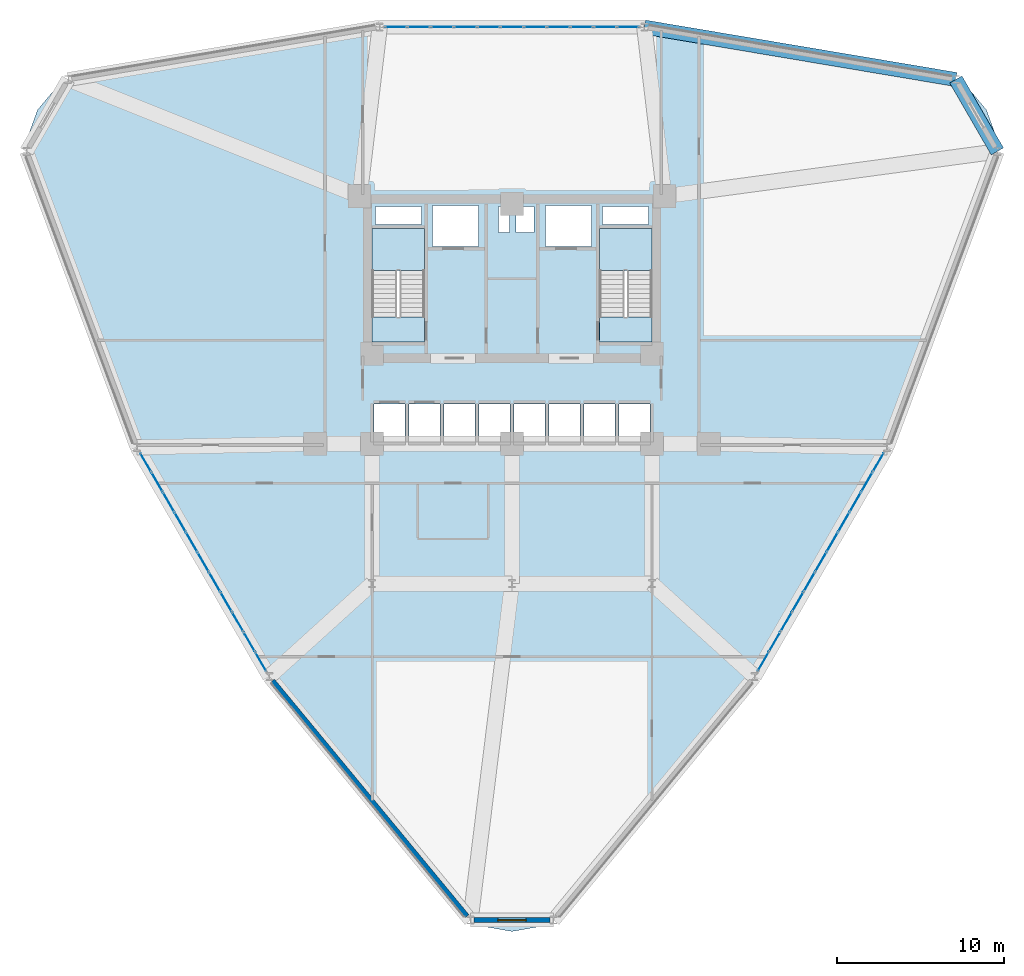
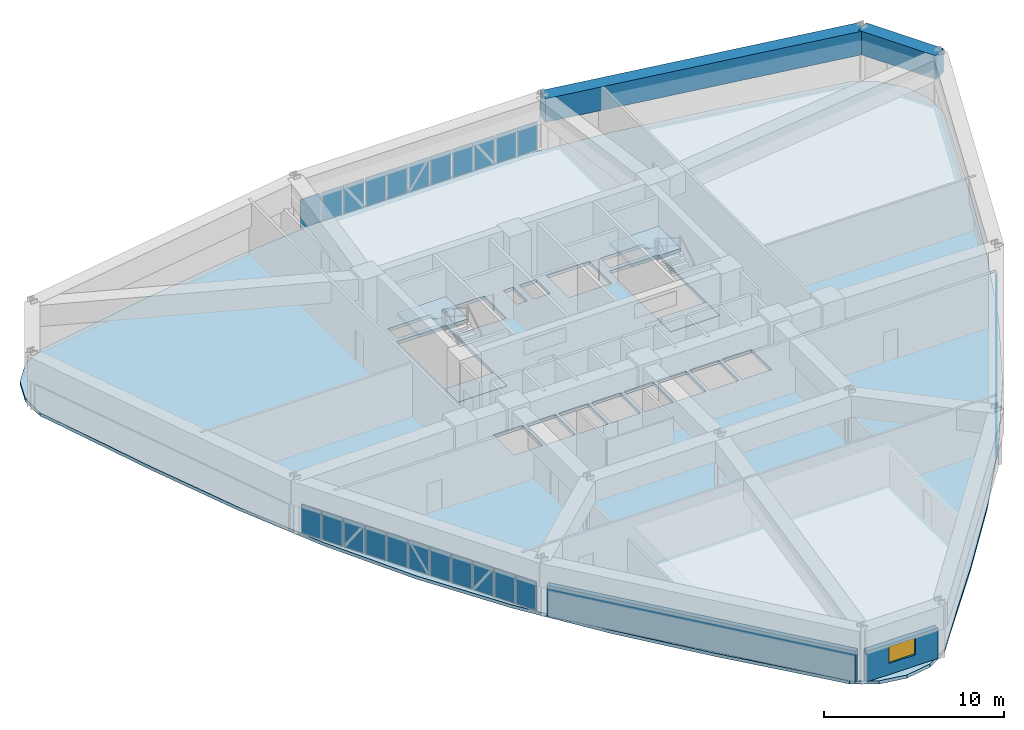
# One storey, part 14 of 20: 33 plates, 5 slabs, 2 beams, 2 walls, 1 window, 1 opening, 5 elements without a shape of their own.
"""IFC4 building model written with IfcOpenShell, lengths in metres."""

from ifc_helpers import new_model, si_unit, derived_unit, direction, frame, frame_2d, origin, origin_2d, place, context, subcontext, project, spatial, polyline, rectangle, outline, extrude, source, transform, mapped, material, layer, layer_set, material_profile, profile_set, type_object, element, fill, aggregate, save


model = new_model("IFC4")

# Units and contexts
model_context = context("Model", 3, precision=1e-05, world=origin(), true_north=direction((0.0, 1.0)))
body_context = subcontext(model_context, "Body", "Model", "MODEL_VIEW")
ifc_project = project(units=[si_unit("LENGTHUNIT", "METRE"), si_unit("AREAUNIT", "SQUARE_METRE"), si_unit("VOLUMEUNIT", "CUBIC_METRE"), si_unit("PLANEANGLEUNIT", "RADIAN"), si_unit("MASSUNIT", "GRAM", prefix="KILO"), derived_unit("THERMALTRANSMITTANCEUNIT", [(si_unit("POWERUNIT", "WATT"), 1), (si_unit("LENGTHUNIT", "METRE"), -2), (si_unit("THERMODYNAMICTEMPERATUREUNIT", "KELVIN"), -1)])], contexts=[model_context])

# Site, building, storey
site_placement = place(None, origin())
site = spatial("IfcSite", under=ifc_project, at=site_placement, CompositionType="ELEMENT")
building_placement = place(site_placement, origin())
building = spatial("IfcBuilding", under=site, at=building_placement, Name="Korsvarv Bourse and Concert Hall", CompositionType="ELEMENT")
storey_placement = place(building_placement, frame((0.0, 0.0, 39.60009765625)))
storey = spatial("IfcBuildingStorey", under=building, at=storey_placement, Name="L09", CompositionType="ELEMENT", Elevation=39.60009765625)

# Beams
ifc_material_1 = material(Name="Concrete C55/67", Category="concrete")
ifc_material_profile = material_profile(ifc_material_1, rectangle(XDim=0.85009765625, YDim=1.60009765625, at=origin_2d()), Name="RC-BM 850x1600")
ifc_profile_set = profile_set([ifc_material_profile], Name="Concrete C55/67")
beam_type = type_object("IfcBeamType", Name="BM-TR1B", PredefinedType="BEAM", material=ifc_profile_set)
shared_shape_1 = source(origin(), body_context, "Body", "SweptSolid", [
    extrude(rectangle(XDim=0.85009765625, YDim=1.60009765625, at=origin_2d()), origin(), (0.0, 0.0, 1.0), 4.985595703125),
])
beam_1_placement = place(storey_placement, frame((65.1298828125, 49.939697265625, 2.8798828125), z_axis=(-0.499983857782, 0.866034723298, 0.0), x_axis=(-0.866034723298, -0.499983857782, 0.0)))
element("IfcBeam", 1, at=beam_1_placement, inside=storey, type_object=beam_type, Name="L09 beam B-TR2", PredefinedType="BEAM", context=body_context, shape_type="MappedRepresentation", body=[
    mapped(shared_shape_1, transform((0.0, 0.0, 0.0), scale=1.0)),
])
shared_shape_2 = source(origin(), body_context, "Body", "SweptSolid", [
    extrude(rectangle(XDim=0.85009765625, YDim=1.60009765625, at=origin_2d()), origin(), (0.0, 0.0, 1.0), 18.95849609375),
])
beam_2_placement = place(storey_placement, frame((62.63720703125, 54.25732421875, 2.8798828125), z_axis=(-0.98615096674, 0.16585014561, 0.0), x_axis=(-0.16585014561, -0.98615096674, 0.0)))
element("IfcBeam", 2, at=beam_2_placement, inside=storey, type_object=beam_type, Name="L09 beam B-TR2", PredefinedType="BEAM", context=body_context, shape_type="MappedRepresentation", body=[
    mapped(shared_shape_2, transform((0.0, 0.0, 0.0), scale=1.0)),
])

# Slabs
ifc_material_2 = material(Name="Precast concrete C45/55", Category="concrete")
ifc_layer_1 = layer(ifc_material_2, 0.199951171875)
ifc_layer_set_1 = layer_set([ifc_layer_1], Name="Precast concrete C45/55")
slab_type_1 = type_object("IfcSlabType", Name="SLB-FLND-T", PredefinedType="LANDING", material=ifc_layer_set_1)
slab_1_placement = place(storey_placement, frame((0.0, 0.0, -0.2001953125)))
element("IfcSlab", 3, at=slab_1_placement, inside=storey, type_object=slab_type_1, Name="L09 Stair ST-T1 Floor Landing Slab", PredefinedType="LANDING", context=body_context, shape_type="SweptSolid", body=[
    extrude(outline(polyline([(30.760009765625, 38.5), (30.760009765625, 40.0), (27.60009765625, 40.0), (27.60009765625, 38.5), (30.760009765625, 38.5)])), origin(), (0.0, 0.0, 1.0), 0.2001953125),
])
slab_2_placement = place(storey_placement, frame((0.0, 0.0, -0.2001953125)))
element("IfcSlab", 4, at=slab_2_placement, inside=storey, type_object=slab_type_1, Name="L09 Stair ST-T2 Floor Landing Slab", PredefinedType="LANDING", context=body_context, shape_type="SweptSolid", body=[
    extrude(outline(polyline([(44.39990234375, 38.5), (44.39990234375, 40.0), (41.239990234375, 40.0), (41.239990234375, 38.5), (44.39990234375, 38.5)])), origin(), (0.0, 0.0, 1.0), 0.2001953125),
])

# Stair, slab
stair_type = type_object("IfcStairType", Name="STR-TYPE-03", PredefinedType="HALF_TURN_STAIR", material=ifc_material_2)
stair_1_placement = place(storey_placement, origin())
stair_1 = element("IfcStair", 5, at=stair_1_placement, inside=storey, type_object=stair_type, Name="L09 Tower West Exit Stair ST-T1", PredefinedType="HALF_TURN_STAIR")
ifc_layer_2 = layer(ifc_material_2, 0.199951171875)
ifc_layer_set_2 = layer_set([ifc_layer_2], Name="Precast concrete C45/55")
slab_type_2 = type_object("IfcSlabType", Name="SLB-ST-LND", PredefinedType="LANDING", material=ifc_layer_set_2)
slab_3_placement = place(storey_placement, frame((0.0, 0.0, 1.75)))
slab_3 = element("IfcSlab", 6, at=slab_3_placement, type_object=slab_type_2, Name="ST-T1 landing 1", PredefinedType="LANDING", context=body_context, shape_type="SweptSolid", body=[
    extrude(outline(polyline([(30.760009765625, 42.800048828125), (30.760009765625, 45.300048828125), (27.60009765625, 45.300048828125), (27.60009765625, 42.800048828125), (30.760009765625, 42.800048828125)])), origin(), (0.0, 0.0, 1.0), 0.199951171875),
])
aggregate(stair_1, [slab_3])

stair_2_placement = place(storey_placement, origin())
stair_2 = element("IfcStair", 7, at=stair_2_placement, inside=storey, type_object=stair_type, Name="L09 Tower East Exit Stair ST-T2", PredefinedType="HALF_TURN_STAIR")
slab_4_placement = place(storey_placement, frame((0.0, 0.0, 1.75)))
slab_4 = element("IfcSlab", 8, at=slab_4_placement, type_object=slab_type_2, Name="ST-T2 landing 1", PredefinedType="LANDING", context=body_context, shape_type="SweptSolid", body=[
    extrude(outline(polyline([(44.39990234375, 42.800048828125), (44.39990234375, 45.300048828125), (41.239990234375, 45.300048828125), (41.239990234375, 42.800048828125), (44.39990234375, 42.800048828125)])), origin(), (0.0, 0.0, 1.0), 0.199951171875),
])
aggregate(stair_2, [slab_4])

# Slab
ifc_material_3 = material(Name="Concrete C45/55", Category="concrete")
ifc_layer_3 = layer(ifc_material_3, 0.219970703125)
ifc_layer_set_3 = layer_set([ifc_layer_3], Name="Concrete C45/55")
slab_type_3 = type_object("IfcSlabType", Name="SLB-TW1", PredefinedType="FLOOR", material=ifc_layer_set_3)
slab_5_placement = place(storey_placement, frame((0.0, 0.0, -0.22021484375)))
element("IfcSlab", 9, at=slab_5_placement, inside=storey, type_object=slab_type_3, Name="L09 tower structural floor slab", PredefinedType="FLOOR", context=body_context, shape_type="SweptSolid", body=[
    extrude(outline(polyline([(64.415283203125, 47.536376953125), (62.34765625, 41.712158203125), (60.14013671875, 35.994384765625), (57.66796875, 30.449951171875), (54.845703125, 25.119384765625), (51.640380859375, 20.010009765625), (48.0751953125, 15.0966796875), (44.226806640625, 10.326416015625), (40.216796875, 5.62353515625), (40.21240234375, 5.6181640625), (39.052490234375, 4.23583984375), (37.624267578125, 3.411376953125), (36.0, 3.125), (34.375732421875, 3.411376953125), (32.947509765625, 4.23583984375), (31.78759765625, 5.6181640625), (31.783203125, 5.62353515625), (27.773193359375, 10.326416015625), (23.9248046875, 15.0966796875), (20.359619140625, 20.010009765625), (17.154296875, 25.119384765625), (14.33203125, 30.449951171875), (11.85986328125, 35.994384765625), (9.65234375, 41.712158203125), (7.584716796875, 47.536376953125), (7.58251953125, 47.54296875), (6.96533203125, 49.238525390625), (6.96533203125, 50.8876953125), (7.529296875, 52.4375), (8.589599609375, 53.700927734375), (10.017578125, 54.525390625), (11.794677734375, 54.8388671875), (11.801513671875, 54.840087890625), (17.87939453125, 55.961669921875), (23.934814453125, 56.908935546875), (29.972412109375, 57.5400390625), (36.0, 57.76123046875), (42.027587890625, 57.5400390625), (48.065185546875, 56.908935546875), (54.12060546875, 55.961669921875), (60.198486328125, 54.840087890625), (60.205322265625, 54.8388671875), (61.982421875, 54.525390625), (63.410400390625, 53.700927734375), (64.470703125, 52.4375), (65.03466796875, 50.8876953125), (65.03466796875, 49.238525390625), (64.41748046875, 47.54296875), (64.415283203125, 47.536376953125)]), holes=[polyline([(30.760009765625, 38.5), (30.760009765625, 45.300048828125), (27.60009765625, 45.300048828125), (27.60009765625, 38.5), (30.760009765625, 38.5)]), polyline([(44.39990234375, 38.5), (44.39990234375, 45.300048828125), (41.239990234375, 45.300048828125), (41.239990234375, 38.5), (44.39990234375, 38.5)]), polyline([(31.239990234375, 44.219970703125), (34.0, 44.219970703125), (34.0, 46.679931640625), (31.239990234375, 46.679931640625), (31.239990234375, 44.219970703125)]), polyline([(38.0, 44.219970703125), (40.760009765625, 44.219970703125), (40.760009765625, 46.679931640625), (38.0, 46.679931640625), (38.0, 44.219970703125)]), polyline([(27.719970703125, 32.52001953125), (29.580078125, 32.52001953125), (29.580078125, 34.780029296875), (27.719970703125, 34.780029296875), (27.719970703125, 32.52001953125)]), polyline([(29.820068359375, 32.52001953125), (31.679931640625, 32.52001953125), (31.679931640625, 34.780029296875), (29.820068359375, 34.780029296875), (29.820068359375, 32.52001953125)]), polyline([(31.919921875, 32.52001953125), (33.780029296875, 32.52001953125), (33.780029296875, 34.780029296875), (31.919921875, 34.780029296875), (31.919921875, 32.52001953125)]), polyline([(34.02001953125, 32.52001953125), (35.8798828125, 32.52001953125), (35.8798828125, 34.780029296875), (34.02001953125, 34.780029296875), (34.02001953125, 32.52001953125)]), polyline([(36.1201171875, 32.52001953125), (37.97998046875, 32.52001953125), (37.97998046875, 34.780029296875), (36.1201171875, 34.780029296875), (36.1201171875, 32.52001953125)]), polyline([(38.219970703125, 32.52001953125), (40.080078125, 32.52001953125), (40.080078125, 34.780029296875), (38.219970703125, 34.780029296875), (38.219970703125, 32.52001953125)]), polyline([(40.320068359375, 32.52001953125), (42.179931640625, 32.52001953125), (42.179931640625, 34.780029296875), (40.320068359375, 34.780029296875), (40.320068359375, 32.52001953125)]), polyline([(42.419921875, 32.52001953125), (44.280029296875, 32.52001953125), (44.280029296875, 34.780029296875), (42.419921875, 34.780029296875), (42.419921875, 32.52001953125)]), polyline([(27.800048828125, 45.56005859375), (30.56005859375, 45.56005859375), (30.56005859375, 46.6201171875), (27.800048828125, 46.6201171875), (27.800048828125, 45.56005859375)]), polyline([(41.43994140625, 45.56005859375), (44.199951171875, 45.56005859375), (44.199951171875, 46.6201171875), (41.43994140625, 46.6201171875), (41.43994140625, 45.56005859375)]), polyline([(35.199951171875, 45.080078125), (35.840087890625, 45.080078125), (35.840087890625, 46.6201171875), (35.199951171875, 46.6201171875), (35.199951171875, 45.080078125)]), polyline([(36.239990234375, 45.080078125), (37.320068359375, 45.080078125), (37.320068359375, 46.6201171875), (36.239990234375, 46.6201171875), (36.239990234375, 45.080078125)])]), origin(), (0.0, 0.0, 1.0), 0.22021484375),
])

# Curtain wall, plates
ifc_material_4 = material(Name="Anodised aluminium and triple low-E glazing", Category="glass")
ifc_layer_4 = layer(ifc_material_4, 0.219970703125)
ifc_layer_set_4 = layer_set([ifc_layer_4], Name="Anodised aluminium and triple low-E glazing")
curtain_wall_type = type_object("IfcCurtainWallType", Name="CW-SYS-1", PredefinedType="NOTDEFINED", material=ifc_layer_set_4)
curtain_wall_1_placement = place(storey_placement, origin())
curtain_wall_1 = element("IfcCurtainWall", 10, at=curtain_wall_1_placement, inside=storey, type_object=curtain_wall_type, Name="L09 CW1 curtain wall CW-L09-F03", PredefinedType="NOTDEFINED")
ifc_material_5 = material(Name="Tempered triple insulated low-E architectural glass", Category="glass")
ifc_layer_5 = layer(ifc_material_5, 0.035888671875)
ifc_layer_set_5 = layer_set([ifc_layer_5], Name="Tempered triple insulated low-E architectural glass")
plate_type_1 = type_object("IfcPlateType", Name="CWP-VIS1", PredefinedType="CURTAIN_PANEL", material=ifc_layer_set_5)
shared_shape_3 = source(origin(), body_context, "Body", "SweptSolid", [
    extrude(rectangle(XDim=1.291259765625, YDim=0.035888671875, at=origin_2d()), origin(), (0.0, 0.0, 1.0), 1.949951171875),
])
plate_1_placement = place(storey_placement, frame((42.96337890625, 57.401611328125, 0.06494140625), z_axis=(0.0, 0.0, 1.0), x_axis=(-1.0, 0.0, 0.0)))
plate_1 = element("IfcPlate", 11, at=plate_1_placement, type_object=plate_type_1, Name="CW1 faceted panel 1.1", PredefinedType="CURTAIN_PANEL", context=body_context, shape_type="MappedRepresentation", body=[
    mapped(shared_shape_3, transform((0.0, 0.0, 0.0), scale=1.0)),
])
plate_2_placement = place(storey_placement, frame((29.03662109375, 57.401611328125, 0.06494140625), z_axis=(0.0, 0.0, 1.0), x_axis=(-1.0, 0.0, 0.0)))
plate_2 = element("IfcPlate", 12, at=plate_2_placement, type_object=plate_type_1, Name="CW1 faceted panel 11.1", PredefinedType="CURTAIN_PANEL", context=body_context, shape_type="MappedRepresentation", body=[
    mapped(shared_shape_3, transform((0.0, 0.0, 0.0), scale=1.0)),
])
shared_shape_4 = source(origin(), body_context, "Body", "SweptSolid", [
    extrude(rectangle(XDim=1.326171875, YDim=0.035888671875, at=origin_2d()), origin(), (0.0, 0.0, 1.0), 1.949951171875),
])
plate_3_placement = place(storey_placement, frame((41.584716796875, 57.401611328125, 0.06494140625), z_axis=(0.0, 0.0, 1.0), x_axis=(-1.0, 0.0, 0.0)))
plate_3 = element("IfcPlate", 13, at=plate_3_placement, type_object=plate_type_1, Name="CW1 faceted panel 2.1", PredefinedType="CURTAIN_PANEL", context=body_context, shape_type="MappedRepresentation", body=[
    mapped(shared_shape_4, transform((0.0, 0.0, 0.0), scale=1.0)),
])
plate_4_placement = place(storey_placement, frame((38.79248046875, 57.401611328125, 0.06494140625), z_axis=(0.0, 0.0, 1.0), x_axis=(-1.0, 0.0, 0.0)))
plate_4 = element("IfcPlate", 14, at=plate_4_placement, type_object=plate_type_1, Name="CW1 faceted panel 4.1", PredefinedType="CURTAIN_PANEL", context=body_context, shape_type="MappedRepresentation", body=[
    mapped(shared_shape_4, transform((0.0, 0.0, 0.0), scale=1.0)),
])
plate_5_placement = place(storey_placement, frame((37.396240234375, 57.401611328125, 0.06494140625), z_axis=(0.0, 0.0, 1.0), x_axis=(-1.0, 0.0, 0.0)))
plate_5 = element("IfcPlate", 15, at=plate_5_placement, type_object=plate_type_1, Name="CW1 faceted panel 5.1", PredefinedType="CURTAIN_PANEL", context=body_context, shape_type="MappedRepresentation", body=[
    mapped(shared_shape_4, transform((0.0, 0.0, 0.0), scale=1.0)),
])
plate_6_placement = place(storey_placement, frame((34.603759765625, 57.401611328125, 0.06494140625), z_axis=(0.0, 0.0, 1.0), x_axis=(-1.0, 0.0, 0.0)))
plate_6 = element("IfcPlate", 16, at=plate_6_placement, type_object=plate_type_1, Name="CW1 faceted panel 7.1", PredefinedType="CURTAIN_PANEL", context=body_context, shape_type="MappedRepresentation", body=[
    mapped(shared_shape_4, transform((0.0, 0.0, 0.0), scale=1.0)),
])
plate_7_placement = place(storey_placement, frame((33.20751953125, 57.401611328125, 0.06494140625), z_axis=(0.0, 0.0, 1.0), x_axis=(-1.0, 0.0, 0.0)))
plate_7 = element("IfcPlate", 17, at=plate_7_placement, type_object=plate_type_1, Name="CW1 faceted panel 8.1", PredefinedType="CURTAIN_PANEL", context=body_context, shape_type="MappedRepresentation", body=[
    mapped(shared_shape_4, transform((0.0, 0.0, 0.0), scale=1.0)),
])
plate_8_placement = place(storey_placement, frame((30.415283203125, 57.401611328125, 0.06494140625), z_axis=(0.0, 0.0, 1.0), x_axis=(-1.0, 0.0, 0.0)))
plate_8 = element("IfcPlate", 18, at=plate_8_placement, type_object=plate_type_1, Name="CW1 faceted panel 10.1", PredefinedType="CURTAIN_PANEL", context=body_context, shape_type="MappedRepresentation", body=[
    mapped(shared_shape_4, transform((0.0, 0.0, 0.0), scale=1.0)),
])
ifc_material_6 = material(Name="Insulated spandrel glass", Category="glass")
ifc_layer_6 = layer(ifc_material_6, 0.031982421875)
ifc_layer_set_6 = layer_set([ifc_layer_6], Name="Insulated spandrel glass")
plate_type_2 = type_object("IfcPlateType", Name="CWP-SPD1", PredefinedType="CURTAIN_PANEL", material=ifc_layer_set_6)
shared_shape_5 = source(origin(), body_context, "Body", "SweptSolid", [
    extrude(rectangle(XDim=1.326171875, YDim=0.031982421875, at=origin_2d()), origin(), (0.0, 0.0, 1.0), 1.949951171875),
])
plate_9_placement = place(storey_placement, frame((40.188720703125, 57.401611328125, 0.06494140625), z_axis=(0.0, 0.0, 1.0), x_axis=(-1.0, 0.0, 0.0)))
plate_9 = element("IfcPlate", 19, at=plate_9_placement, type_object=plate_type_2, Name="CW1 spandrel shadow-box panel 3.1", PredefinedType="CURTAIN_PANEL", context=body_context, shape_type="MappedRepresentation", body=[
    mapped(shared_shape_5, transform((0.0, 0.0, 0.0), scale=1.0)),
])
plate_10_placement = place(storey_placement, frame((36.0, 57.401611328125, 0.06494140625), z_axis=(0.0, 0.0, 1.0), x_axis=(-1.0, 0.0, 0.0)))
plate_10 = element("IfcPlate", 20, at=plate_10_placement, type_object=plate_type_2, Name="CW1 spandrel shadow-box panel 6.1", PredefinedType="CURTAIN_PANEL", context=body_context, shape_type="MappedRepresentation", body=[
    mapped(shared_shape_5, transform((0.0, 0.0, 0.0), scale=1.0)),
])
plate_11_placement = place(storey_placement, frame((31.811279296875, 57.401611328125, 0.06494140625), z_axis=(0.0, 0.0, 1.0), x_axis=(-1.0, 0.0, 0.0)))
plate_11 = element("IfcPlate", 21, at=plate_11_placement, type_object=plate_type_2, Name="CW1 spandrel shadow-box panel 9.1", PredefinedType="CURTAIN_PANEL", context=body_context, shape_type="MappedRepresentation", body=[
    mapped(shared_shape_5, transform((0.0, 0.0, 0.0), scale=1.0)),
])
aggregate(curtain_wall_1, [plate_1, plate_3, plate_9, plate_4, plate_5, plate_10, plate_6, plate_7, plate_11, plate_8, plate_2])

curtain_wall_2_placement = place(storey_placement, origin())
curtain_wall_2 = element("IfcCurtainWall", 22, at=curtain_wall_2_placement, inside=storey, type_object=curtain_wall_type, Name="L09 CW1 curtain wall CW-L09-F07", PredefinedType="NOTDEFINED")
shared_shape_6 = source(origin(), body_context, "Body", "SweptSolid", [
    extrude(rectangle(XDim=1.278564453125, YDim=0.035888671875, at=origin_2d()), origin(), (0.0, 0.0, 1.0), 1.949951171875),
])
plate_12_placement = place(storey_placement, frame((14.015625, 31.275146484375, 0.06494140625), z_axis=(0.0, 0.0, 1.0), x_axis=(0.499999630998, -0.866025616828, 0.0)))
plate_12 = element("IfcPlate", 23, at=plate_12_placement, type_object=plate_type_1, Name="CW1 faceted panel 1.1", PredefinedType="CURTAIN_PANEL", context=body_context, shape_type="MappedRepresentation", body=[
    mapped(shared_shape_6, transform((0.0, 0.0, 0.0), scale=1.0)),
])
plate_13_placement = place(storey_placement, frame((20.916015625, 19.3232421875, 0.06494140625), z_axis=(0.0, 0.0, 1.0), x_axis=(0.499999630998, -0.866025616828, 0.0)))
plate_13 = element("IfcPlate", 24, at=plate_13_placement, type_object=plate_type_1, Name="CW1 faceted panel 11.1", PredefinedType="CURTAIN_PANEL", context=body_context, shape_type="MappedRepresentation", body=[
    mapped(shared_shape_6, transform((0.0, 0.0, 0.0), scale=1.0)),
])

curtain_wall_3_placement = place(storey_placement, origin())
curtain_wall_3 = element("IfcCurtainWall", 25, at=curtain_wall_3_placement, inside=storey, type_object=curtain_wall_type, Name="L09 CW1 curtain wall CW-L09-F11", PredefinedType="NOTDEFINED")
plate_14_placement = place(storey_placement, frame((51.083984375, 19.3232421875, 0.06494140625), z_axis=(0.0, 0.0, 1.0), x_axis=(0.499999630998, 0.866025616828, 0.0)))
plate_14 = element("IfcPlate", 26, at=plate_14_placement, type_object=plate_type_1, Name="CW1 faceted panel 1.1", PredefinedType="CURTAIN_PANEL", context=body_context, shape_type="MappedRepresentation", body=[
    mapped(shared_shape_6, transform((0.0, 0.0, 0.0), scale=1.0)),
])
plate_15_placement = place(storey_placement, frame((57.984375, 31.275146484375, 0.06494140625), z_axis=(0.0, 0.0, 1.0), x_axis=(0.499999630998, 0.866025616828, 0.0)))
plate_15 = element("IfcPlate", 27, at=plate_15_placement, type_object=plate_type_1, Name="CW1 faceted panel 11.1", PredefinedType="CURTAIN_PANEL", context=body_context, shape_type="MappedRepresentation", body=[
    mapped(shared_shape_6, transform((0.0, 0.0, 0.0), scale=1.0)),
])

# Plate
shared_shape_7 = source(origin(), body_context, "Body", "SweptSolid", [
    extrude(rectangle(XDim=1.3134765625, YDim=0.035888671875, at=origin_2d()), origin(), (0.0, 0.0, 1.0), 1.949951171875),
])
plate_16_placement = place(storey_placement, frame((14.698486328125, 30.092041015625, 0.06494140625), z_axis=(0.0, 0.0, 1.0), x_axis=(0.499999630998, -0.866025616828, 0.0)))
plate_16 = element("IfcPlate", 28, at=plate_16_placement, type_object=plate_type_1, Name="CW1 faceted panel 2.1", PredefinedType="CURTAIN_PANEL", context=body_context, shape_type="MappedRepresentation", body=[
    mapped(shared_shape_7, transform((0.0, 0.0, 0.0), scale=1.0)),
])

plate_17_placement = place(storey_placement, frame((16.082275390625, 27.695556640625, 0.06494140625), z_axis=(0.0, 0.0, 1.0), x_axis=(0.499999630998, -0.866025616828, 0.0)))
plate_17 = element("IfcPlate", 29, at=plate_17_placement, type_object=plate_type_1, Name="CW1 faceted panel 4.1", PredefinedType="CURTAIN_PANEL", context=body_context, shape_type="MappedRepresentation", body=[
    mapped(shared_shape_7, transform((0.0, 0.0, 0.0), scale=1.0)),
])

plate_18_placement = place(storey_placement, frame((16.77392578125, 26.497314453125, 0.06494140625), z_axis=(0.0, 0.0, 1.0), x_axis=(0.499999630998, -0.866025616828, 0.0)))
plate_18 = element("IfcPlate", 30, at=plate_18_placement, type_object=plate_type_1, Name="CW1 faceted panel 5.1", PredefinedType="CURTAIN_PANEL", context=body_context, shape_type="MappedRepresentation", body=[
    mapped(shared_shape_7, transform((0.0, 0.0, 0.0), scale=1.0)),
])

plate_19_placement = place(storey_placement, frame((18.157470703125, 24.10107421875, 0.06494140625), z_axis=(0.0, 0.0, 1.0), x_axis=(0.499999630998, -0.866025616828, 0.0)))
plate_19 = element("IfcPlate", 31, at=plate_19_placement, type_object=plate_type_1, Name="CW1 faceted panel 7.1", PredefinedType="CURTAIN_PANEL", context=body_context, shape_type="MappedRepresentation", body=[
    mapped(shared_shape_7, transform((0.0, 0.0, 0.0), scale=1.0)),
])

plate_20_placement = place(storey_placement, frame((18.849365234375, 22.90283203125, 0.06494140625), z_axis=(0.0, 0.0, 1.0), x_axis=(0.499999630998, -0.866025616828, 0.0)))
plate_20 = element("IfcPlate", 32, at=plate_20_placement, type_object=plate_type_1, Name="CW1 faceted panel 8.1", PredefinedType="CURTAIN_PANEL", context=body_context, shape_type="MappedRepresentation", body=[
    mapped(shared_shape_7, transform((0.0, 0.0, 0.0), scale=1.0)),
])

plate_21_placement = place(storey_placement, frame((20.23291015625, 20.50634765625, 0.06494140625), z_axis=(0.0, 0.0, 1.0), x_axis=(0.499999630998, -0.866025616828, 0.0)))
plate_21 = element("IfcPlate", 33, at=plate_21_placement, type_object=plate_type_1, Name="CW1 faceted panel 10.1", PredefinedType="CURTAIN_PANEL", context=body_context, shape_type="MappedRepresentation", body=[
    mapped(shared_shape_7, transform((0.0, 0.0, 0.0), scale=1.0)),
])

plate_22_placement = place(storey_placement, frame((51.76708984375, 20.50634765625, 0.06494140625), z_axis=(0.0, 0.0, 1.0), x_axis=(0.499999630998, 0.866025616828, 0.0)))
plate_22 = element("IfcPlate", 34, at=plate_22_placement, type_object=plate_type_1, Name="CW1 faceted panel 2.1", PredefinedType="CURTAIN_PANEL", context=body_context, shape_type="MappedRepresentation", body=[
    mapped(shared_shape_7, transform((0.0, 0.0, 0.0), scale=1.0)),
])

plate_23_placement = place(storey_placement, frame((53.150634765625, 22.90283203125, 0.06494140625), z_axis=(0.0, 0.0, 1.0), x_axis=(0.499999630998, 0.866025616828, 0.0)))
plate_23 = element("IfcPlate", 35, at=plate_23_placement, type_object=plate_type_1, Name="CW1 faceted panel 4.1", PredefinedType="CURTAIN_PANEL", context=body_context, shape_type="MappedRepresentation", body=[
    mapped(shared_shape_7, transform((0.0, 0.0, 0.0), scale=1.0)),
])

plate_24_placement = place(storey_placement, frame((53.842529296875, 24.10107421875, 0.06494140625), z_axis=(0.0, 0.0, 1.0), x_axis=(0.499999630998, 0.866025616828, 0.0)))
plate_24 = element("IfcPlate", 36, at=plate_24_placement, type_object=plate_type_1, Name="CW1 faceted panel 5.1", PredefinedType="CURTAIN_PANEL", context=body_context, shape_type="MappedRepresentation", body=[
    mapped(shared_shape_7, transform((0.0, 0.0, 0.0), scale=1.0)),
])

plate_25_placement = place(storey_placement, frame((55.22607421875, 26.497314453125, 0.06494140625), z_axis=(0.0, 0.0, 1.0), x_axis=(0.499999630998, 0.866025616828, 0.0)))
plate_25 = element("IfcPlate", 37, at=plate_25_placement, type_object=plate_type_1, Name="CW1 faceted panel 7.1", PredefinedType="CURTAIN_PANEL", context=body_context, shape_type="MappedRepresentation", body=[
    mapped(shared_shape_7, transform((0.0, 0.0, 0.0), scale=1.0)),
])

plate_26_placement = place(storey_placement, frame((55.917724609375, 27.695556640625, 0.06494140625), z_axis=(0.0, 0.0, 1.0), x_axis=(0.499999630998, 0.866025616828, 0.0)))
plate_26 = element("IfcPlate", 38, at=plate_26_placement, type_object=plate_type_1, Name="CW1 faceted panel 8.1", PredefinedType="CURTAIN_PANEL", context=body_context, shape_type="MappedRepresentation", body=[
    mapped(shared_shape_7, transform((0.0, 0.0, 0.0), scale=1.0)),
])

plate_27_placement = place(storey_placement, frame((57.301513671875, 30.092041015625, 0.06494140625), z_axis=(0.0, 0.0, 1.0), x_axis=(0.499999630998, 0.866025616828, 0.0)))
plate_27 = element("IfcPlate", 39, at=plate_27_placement, type_object=plate_type_1, Name="CW1 faceted panel 10.1", PredefinedType="CURTAIN_PANEL", context=body_context, shape_type="MappedRepresentation", body=[
    mapped(shared_shape_7, transform((0.0, 0.0, 0.0), scale=1.0)),
])

shared_shape_8 = source(origin(), body_context, "Body", "SweptSolid", [
    extrude(rectangle(XDim=1.3134765625, YDim=0.031982421875, at=origin_2d()), origin(), (0.0, 0.0, 1.0), 1.949951171875),
])
plate_28_placement = place(storey_placement, frame((15.390380859375, 28.893798828125, 0.06494140625), z_axis=(0.0, 0.0, 1.0), x_axis=(0.499999630998, -0.866025616828, 0.0)))
plate_28 = element("IfcPlate", 40, at=plate_28_placement, type_object=plate_type_2, Name="CW1 spandrel shadow-box panel 3.1", PredefinedType="CURTAIN_PANEL", context=body_context, shape_type="MappedRepresentation", body=[
    mapped(shared_shape_8, transform((0.0, 0.0, 0.0), scale=1.0)),
])

plate_29_placement = place(storey_placement, frame((17.4658203125, 25.29931640625, 0.06494140625), z_axis=(0.0, 0.0, 1.0), x_axis=(0.499999630998, -0.866025616828, 0.0)))
plate_29 = element("IfcPlate", 41, at=plate_29_placement, type_object=plate_type_2, Name="CW1 spandrel shadow-box panel 6.1", PredefinedType="CURTAIN_PANEL", context=body_context, shape_type="MappedRepresentation", body=[
    mapped(shared_shape_8, transform((0.0, 0.0, 0.0), scale=1.0)),
])

plate_30_placement = place(storey_placement, frame((19.541015625, 21.70458984375, 0.06494140625), z_axis=(0.0, 0.0, 1.0), x_axis=(0.499999630998, -0.866025616828, 0.0)))
plate_30 = element("IfcPlate", 42, at=plate_30_placement, type_object=plate_type_2, Name="CW1 spandrel shadow-box panel 9.1", PredefinedType="CURTAIN_PANEL", context=body_context, shape_type="MappedRepresentation", body=[
    mapped(shared_shape_8, transform((0.0, 0.0, 0.0), scale=1.0)),
])

aggregate(curtain_wall_2, [plate_12, plate_16, plate_28, plate_17, plate_18, plate_29, plate_19, plate_20, plate_30, plate_21, plate_13])

plate_31_placement = place(storey_placement, frame((52.458984375, 21.70458984375, 0.06494140625), z_axis=(0.0, 0.0, 1.0), x_axis=(0.499999630998, 0.866025616828, 0.0)))
plate_31 = element("IfcPlate", 43, at=plate_31_placement, type_object=plate_type_2, Name="CW1 spandrel shadow-box panel 3.1", PredefinedType="CURTAIN_PANEL", context=body_context, shape_type="MappedRepresentation", body=[
    mapped(shared_shape_8, transform((0.0, 0.0, 0.0), scale=1.0)),
])

plate_32_placement = place(storey_placement, frame((54.5341796875, 25.29931640625, 0.06494140625), z_axis=(0.0, 0.0, 1.0), x_axis=(0.499999630998, 0.866025616828, 0.0)))
plate_32 = element("IfcPlate", 44, at=plate_32_placement, type_object=plate_type_2, Name="CW1 spandrel shadow-box panel 6.1", PredefinedType="CURTAIN_PANEL", context=body_context, shape_type="MappedRepresentation", body=[
    mapped(shared_shape_8, transform((0.0, 0.0, 0.0), scale=1.0)),
])

plate_33_placement = place(storey_placement, frame((56.609619140625, 28.893798828125, 0.06494140625), z_axis=(0.0, 0.0, 1.0), x_axis=(0.499999630998, 0.866025616828, 0.0)))
plate_33 = element("IfcPlate", 45, at=plate_33_placement, type_object=plate_type_2, Name="CW1 spandrel shadow-box panel 9.1", PredefinedType="CURTAIN_PANEL", context=body_context, shape_type="MappedRepresentation", body=[
    mapped(shared_shape_8, transform((0.0, 0.0, 0.0), scale=1.0)),
])

aggregate(curtain_wall_3, [plate_14, plate_22, plate_31, plate_23, plate_24, plate_32, plate_25, plate_26, plate_33, plate_27, plate_15])

# Wall, opening, window
ifc_material_7 = material(Name="Precast concrete C45/55 with terracotta rainscreen", Category="concrete")
ifc_layer_7 = layer(ifc_material_7, 0.300048828125)
ifc_layer_set_7 = layer_set([ifc_layer_7], Name="Precast concrete C45/55 with terracotta rainscreen")
wall_type_1 = type_object("IfcWallType", Name="WL-EXT-TC1", PredefinedType="SOLIDWALL", material=ifc_layer_set_7)
wall_1_placement = place(storey_placement, frame((33.72412109375, 3.802978515625, 0.0), z_axis=(0.0, 0.0, 1.0), x_axis=(1.0, 0.0, 0.0)))
wall_1 = element("IfcWall", 46, at=wall_1_placement, inside=storey, type_object=wall_type_1, Name="L09 terracotta exterior wall EW-L09-B09", PredefinedType="SOLIDWALL", context=body_context, shape_type="SweptSolid", body=[
    extrude(rectangle(XDim=4.5517578125, YDim=0.300048828125, at=frame_2d((2.27587890625, 0.0))), origin(), (0.0, 0.0, 1.0), 2.079833984375),
])
opening_placement = place(wall_1_placement, frame((1.42578125, 0.0, 0.75)))
opening = element("IfcOpeningElement", 47, at=opening_placement, cuts=wall_1, Name="Opening W-06", PredefinedType="OPENING", context=body_context, shape_type="SweptSolid", body=[
    extrude(rectangle(XDim=1.699951171875, YDim=1.14990234375, at=frame_2d((0.85009765625, 0.574951171875))), frame((0.0, 0.16015625, 0.0), z_axis=(0.0, -1.0, 0.0), x_axis=(1.0, 0.0, 0.0)), (0.0, 0.0, 1.0), 0.320068359375),
])
ifc_material_8 = material(Name="Thermally broken aluminium frame with triple low-E glass", Category="glass")
window_type = type_object("IfcWindowType", Name="WIN-TW1-1700X1150", PartitioningType="SINGLE_PANEL", PredefinedType="WINDOW", material=ifc_material_8)
window_placement = place(opening_placement, origin())
window = element("IfcWindow", 48, at=window_placement, inside=storey, type_object=window_type, Name="L09 punched facade window W-06", OverallHeight=1.14990234375, OverallWidth=1.699951171875, PartitioningType="SINGLE_PANEL", PredefinedType="WINDOW", context=body_context, shape_type="SweptSolid", body=[
    extrude(rectangle(XDim=1.699951171875, YDim=1.14990234375, at=frame_2d((0.85009765625, 0.574951171875))), frame((0.0, 0.030029296875, 0.0), z_axis=(0.0, -1.0, 0.0), x_axis=(1.0, 0.0, 0.0)), (0.0, 0.0, 1.0), 0.06005859375),
])
fill(opening, window)

# Wall
ifc_material_9 = material(Name="Precast concrete C45/55 with fluted terracotta pier", Category="concrete")
ifc_layer_8 = layer(ifc_material_9, 0.280029296875)
ifc_layer_set_8 = layer_set([ifc_layer_8], Name="Precast concrete C45/55 with fluted terracotta pier")
wall_type_2 = type_object("IfcWallType", Name="WL-EXT-TC2", PredefinedType="SOLIDWALL", material=ifc_layer_set_8)
wall_2_placement = place(storey_placement, frame((21.635986328125, 18.179931640625, 0.0), z_axis=(0.0, 0.0, 1.0), x_axis=(0.636707615974, -0.771105318203, 0.0)))
element("IfcWall", 49, at=wall_2_placement, inside=storey, type_object=wall_type_2, Name="L09 terracotta exterior wall EW-L09-B08", PredefinedType="SOLIDWALL", context=body_context, shape_type="SweptSolid", body=[
    extrude(rectangle(XDim=18.330810546875, YDim=0.280029296875, at=frame_2d((9.16552734375, 0.0))), origin(), (0.0, 0.0, 1.0), 2.079833984375),
])

save(model, "model.ifc")
